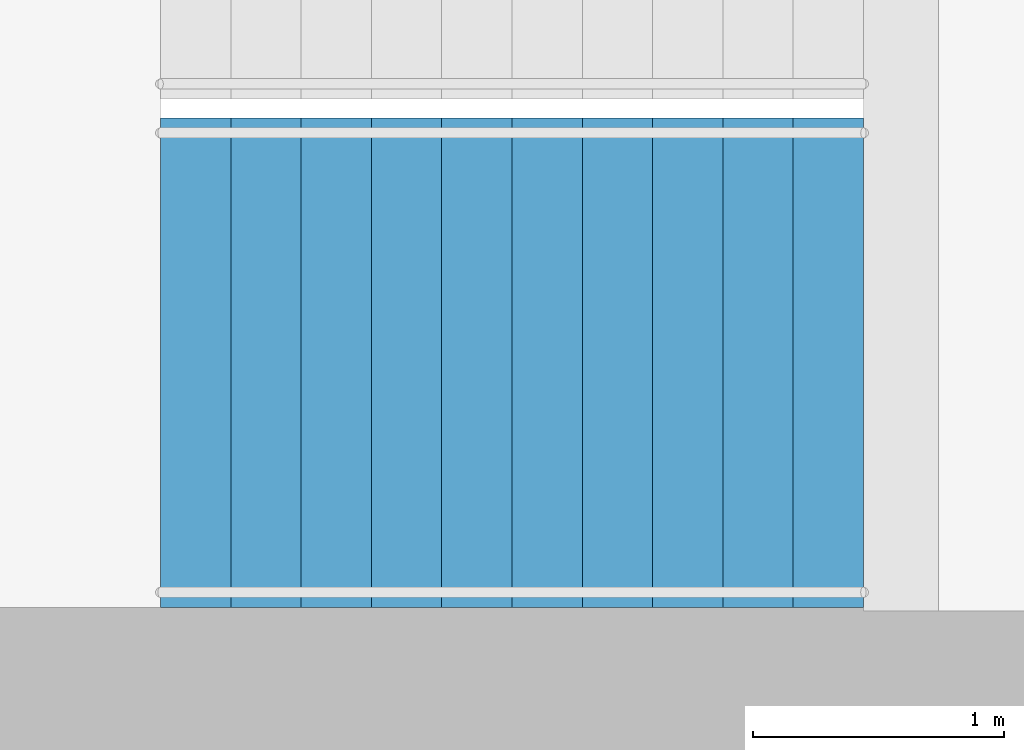
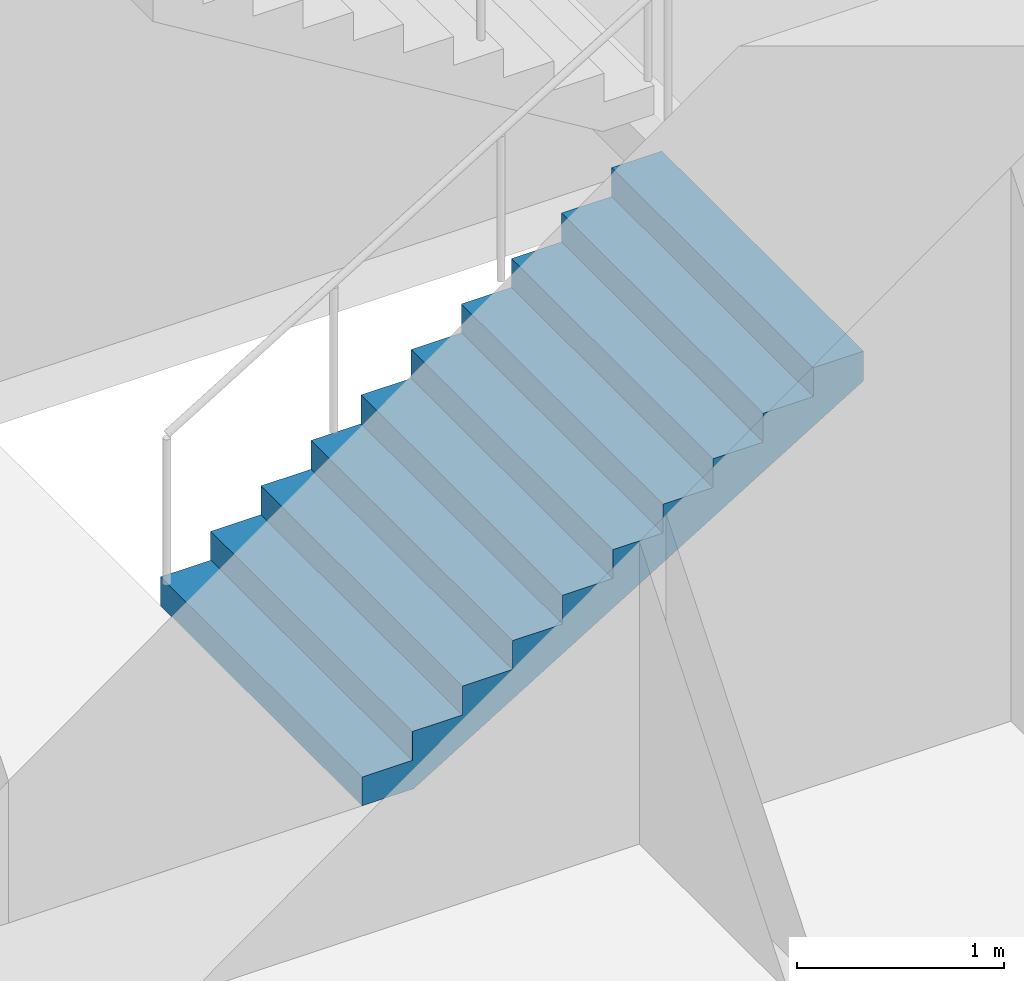
# One storey, part 17 of 21: 1 stair flight, 1 element without a shape of its own.
"""IFC4 building model written with IfcOpenShell, lengths in metres."""

from ifc_helpers import new_model, si_unit, direction, frame, origin, place, context, subcontext, project, spatial, triangles, material, type_object, element, aggregate, save


model = new_model("IFC4")

# Units and contexts
model_context = context("Model", 3, precision=1e-05, world=origin(), true_north=direction((0.0, 1.0)))
body_context = subcontext(model_context, "Body", "Model", "MODEL_VIEW")
ifc_project = project(units=[si_unit("LENGTHUNIT", "METRE"), si_unit("AREAUNIT", "SQUARE_METRE"), si_unit("VOLUMEUNIT", "CUBIC_METRE"), si_unit("PLANEANGLEUNIT", "RADIAN"), si_unit("MASSUNIT", "GRAM", prefix="KILO")], contexts=[model_context])

# Site, building, storey
site_placement = place(None, origin())
site = spatial("IfcSite", under=ifc_project, at=site_placement, CompositionType="ELEMENT")
building_placement = place(site_placement, origin())
building = spatial("IfcBuilding", under=site, at=building_placement, Name="Orbita Commons", CompositionType="ELEMENT")
storey_placement = place(building_placement, frame((0.0, 0.0, 91.89990234375)))
storey = spatial("IfcBuildingStorey", under=building, at=storey_placement, Name="L22", CompositionType="ELEMENT", Elevation=91.89990234375)

# Stair, stair flight
ifc_material_1 = material(Name="Precast concrete C40/50", Category="concrete")
stair_type = type_object("IfcStairType", Name="Exit stair S1 2 flights 11 risers 170", PredefinedType="HALF_TURN_STAIR", material=ifc_material_1)
stair_placement = place(storey_placement, origin())
stair = element("IfcStair", 1, at=stair_placement, inside=storey, type_object=stair_type, Name="Exit stair S1 L22", PredefinedType="HALF_TURN_STAIR")
ifc_material_2 = material(Name="Precast concrete C40/50", Category="concrete")
stair_flight_type = type_object("IfcStairFlightType", Name="Stair flight 11 risers 170 x 280", PredefinedType="STRAIGHT", material=ifc_material_2)
stair_flight_placement = place(storey_placement, frame((20.449951171875, 27.25, 0.0), z_axis=(0.0, 0.0, 1.0), x_axis=(1.0, 0.0, 0.0)))
stair_flight = element("IfcStairFlight", 2, at=stair_flight_placement, type_object=stair_flight_type, Name="S1 flight 1", NumberOfRisers=11, NumberOfTreads=10, PredefinedType="STRAIGHT", RiserHeight=0.170454545, TreadLength=0.28, context=body_context, shape_type="Tessellation", body=[
    triangles([(0.0, 0.974976, 0.0), (0.0, 0.974976, 0.021307), (0.0, 0.81248, 0.021307), (0.0, 0.81248, 0.0), (0.0, 0.649984, 0.021307), (0.0, 0.649984, 0.0), (0.0, 0.487488, 0.021307), (0.0, 0.487488, 0.0), (0.0, 0.324992, 0.021307), (0.0, 0.324992, 0.0), (0.0, 0.162496, 0.021307), (0.0, 0.162496, 0.0), (0.0, 0.0, 0.021307), (0.0, 0.0, 0.0), (0.0, -0.162496, 0.021307), (0.0, -0.162496, 0.0), (0.0, -0.324992, 0.021307), (0.0, -0.324992, 0.0), (0.0, -0.487488, 0.021307), (0.0, -0.487488, 0.0), (0.0, -0.649984, 0.021307), (0.0, -0.649984, 0.0), (0.0, -0.81248, 0.021307), (0.0, -0.81248, 0.0), (0.0, -0.974976, 0.021307), (0.0, -0.974976, 0.0), (0.0, 0.974976, 0.042614), (0.0, 0.81248, 0.042614), (0.0, 0.649984, 0.042614), (0.0, 0.487488, 0.042614), (0.0, 0.324992, 0.042614), (0.0, 0.162496, 0.042614), (0.0, 0.0, 0.042614), (0.0, -0.162496, 0.042614), (0.0, -0.324992, 0.042614), (0.0, -0.487488, 0.042614), (0.0, -0.649984, 0.042614), (0.0, -0.81248, 0.042614), (0.0, -0.974976, 0.042614), (0.0, 0.974976, 0.06392), (0.0, 0.81248, 0.06392), (0.0, 0.649984, 0.06392), (0.0, 0.487488, 0.06392), (0.0, 0.324992, 0.06392), (0.0, 0.162496, 0.06392), (0.0, 0.0, 0.06392), (0.0, -0.162496, 0.06392), (0.0, -0.324992, 0.06392), (0.0, -0.487488, 0.06392), (0.0, -0.649984, 0.06392), (0.0, -0.81248, 0.06392), (0.0, -0.974976, 0.06392), (0.0, 0.974976, 0.085227), (0.0, 0.81248, 0.085227), (0.0, 0.649984, 0.085227), (0.0, 0.487488, 0.085227), (0.0, 0.324992, 0.085227), (0.0, 0.162496, 0.085227), (0.0, 0.0, 0.085227), (0.0, -0.162496, 0.085227), (0.0, -0.324992, 0.085227), (0.0, -0.487488, 0.085227), (0.0, -0.649984, 0.085227), (0.0, -0.81248, 0.085227), (0.0, -0.974976, 0.085227), (0.0, 0.974976, 0.106534), (0.0, 0.81248, 0.106534), (0.0, 0.649984, 0.106534), (0.0, 0.487488, 0.106534), (0.0, 0.324992, 0.106534), (0.0, 0.162496, 0.106534), (0.0, 0.0, 0.106534), (0.0, -0.162496, 0.106534), (0.0, -0.324992, 0.106534), (0.0, -0.487488, 0.106534), (0.0, -0.649984, 0.106534), (0.0, -0.81248, 0.106534), (0.0, -0.974976, 0.106534), (0.0, 0.974976, 0.127841), (0.0, 0.81248, 0.127841), (0.0, 0.649984, 0.127841), (0.0, 0.487488, 0.127841), (0.0, 0.324992, 0.127841), (0.0, 0.162496, 0.127841), (0.0, 0.0, 0.127841), (0.0, -0.162496, 0.127841), (0.0, -0.324992, 0.127841), (0.0, -0.487488, 0.127841), (0.0, -0.649984, 0.127841), (0.0, -0.81248, 0.127841), (0.0, -0.974976, 0.127841), (0.0, 0.974976, 0.149148), (0.0, 0.81248, 0.149148), (0.0, 0.649984, 0.149148), (0.0, 0.487488, 0.149148), (0.0, 0.324992, 0.149148), (0.0, 0.162496, 0.149148), (0.0, 0.0, 0.149148), (0.0, -0.162496, 0.149148), (0.0, -0.324992, 0.149148), (0.0, -0.487488, 0.149148), (0.0, -0.649984, 0.149148), (0.0, -0.81248, 0.149148), (0.0, -0.974976, 0.149148), (0.0, 0.974976, 0.170455), (0.0, 0.81248, 0.170455), (0.0, 0.649984, 0.170455), (0.0, 0.487488, 0.170455), (0.0, 0.324992, 0.170455), (0.0, 0.162496, 0.170455), (0.0, 0.0, 0.170455), (0.0, -0.162496, 0.170455), (0.0, -0.324992, 0.170455), (0.0, -0.487488, 0.170455), (0.0, -0.649984, 0.170455), (0.0, -0.81248, 0.170455), (0.0, -0.974976, 0.170455), (0.28, 0.974976, 0.170455), (0.28, 0.81248, 0.170455), (0.28, 0.649984, 0.170455), (0.28, 0.487488, 0.170455), (0.28, 0.324992, 0.170455), (0.28, 0.162496, 0.170455), (0.28, 0.0, 0.170455), (0.28, -0.162496, 0.170455), (0.28, -0.324992, 0.170455), (0.28, -0.487488, 0.170455), (0.28, -0.649984, 0.170455), (0.28, -0.81248, 0.170455), (0.28, -0.974976, 0.170455), (0.28, 0.974976, 0.340909), (0.28, 0.81248, 0.340909), (0.28, 0.649984, 0.340909), (0.28, 0.487488, 0.340909), (0.28, 0.324992, 0.340909), (0.28, 0.162496, 0.340909), (0.28, 0.0, 0.340909), (0.28, -0.162496, 0.340909), (0.28, -0.324992, 0.340909), (0.28, -0.487488, 0.340909), (0.28, -0.649984, 0.340909), (0.28, -0.81248, 0.340909), (0.28, -0.974976, 0.340909), (0.56, 0.974976, 0.340909), (0.56, 0.81248, 0.340909), (0.56, 0.649984, 0.340909), (0.56, 0.487488, 0.340909), (0.56, 0.324992, 0.340909), (0.56, 0.162496, 0.340909), (0.56, 0.0, 0.340909), (0.56, -0.162496, 0.340909), (0.56, -0.324992, 0.340909), (0.56, -0.487488, 0.340909), (0.56, -0.649984, 0.340909), (0.56, -0.81248, 0.340909), (0.56, -0.974976, 0.340909), (0.56, 0.974976, 0.511364), (0.56, 0.81248, 0.511364), (0.56, 0.649984, 0.511364), (0.56, 0.487488, 0.511364), (0.56, 0.324992, 0.511364), (0.56, 0.162496, 0.511364), (0.56, 0.0, 0.511364), (0.56, -0.162496, 0.511364), (0.56, -0.324992, 0.511364), (0.56, -0.487488, 0.511364), (0.56, -0.649984, 0.511364), (0.56, -0.81248, 0.511364), (0.56, -0.974976, 0.511364), (0.84, 0.974976, 0.511364), (0.84, 0.81248, 0.511364), (0.84, 0.649984, 0.511364), (0.84, 0.487488, 0.511364), (0.84, 0.324992, 0.511364), (0.84, 0.162496, 0.511364), (0.84, 0.0, 0.511364), (0.84, -0.162496, 0.511364), (0.84, -0.324992, 0.511364), (0.84, -0.487488, 0.511364), (0.84, -0.649984, 0.511364), (0.84, -0.81248, 0.511364), (0.84, -0.974976, 0.511364), (0.84, 0.974976, 0.681818), (0.84, 0.81248, 0.681818), (0.84, 0.649984, 0.681818), (0.84, 0.487488, 0.681818), (0.84, 0.324992, 0.681818), (0.84, 0.162496, 0.681818), (0.84, 0.0, 0.681818), (0.84, -0.162496, 0.681818), (0.84, -0.324992, 0.681818), (0.84, -0.487488, 0.681818), (0.84, -0.649984, 0.681818), (0.84, -0.81248, 0.681818), (0.84, -0.974976, 0.681818), (1.12, 0.974976, 0.681818), (1.12, 0.81248, 0.681818), (1.12, 0.649984, 0.681818), (1.12, 0.487488, 0.681818), (1.12, 0.324992, 0.681818), (1.12, 0.162496, 0.681818), (1.12, 0.0, 0.681818), (1.12, -0.162496, 0.681818), (1.12, -0.324992, 0.681818), (1.12, -0.487488, 0.681818), (1.12, -0.649984, 0.681818), (1.12, -0.81248, 0.681818), (1.12, -0.974976, 0.681818), (1.12, 0.974976, 0.852273), (1.12, 0.81248, 0.852273), (1.12, 0.649984, 0.852273), (1.12, 0.487488, 0.852273), (1.12, 0.324992, 0.852273), (1.12, 0.162496, 0.852273), (1.12, 0.0, 0.852273), (1.12, -0.162496, 0.852273), (1.12, -0.324992, 0.852273), (1.12, -0.487488, 0.852273), (1.12, -0.649984, 0.852273), (1.12, -0.81248, 0.852273), (1.12, -0.974976, 0.852273), (1.4, 0.974976, 0.852273), (1.4, 0.81248, 0.852273), (1.4, 0.649984, 0.852273), (1.4, 0.487488, 0.852273), (1.4, 0.324992, 0.852273), (1.4, 0.162496, 0.852273), (1.4, 0.0, 0.852273), (1.4, -0.162496, 0.852273), (1.4, -0.324992, 0.852273), (1.4, -0.487488, 0.852273), (1.4, -0.649984, 0.852273), (1.4, -0.81248, 0.852273), (1.4, -0.974976, 0.852273), (1.4, 0.974976, 1.022727), (1.4, 0.81248, 1.022727), (1.4, 0.649984, 1.022727), (1.4, 0.487488, 1.022727), (1.4, 0.324992, 1.022727), (1.4, 0.162496, 1.022727), (1.4, 0.0, 1.022727), (1.4, -0.162496, 1.022727), (1.4, -0.324992, 1.022727), (1.4, -0.487488, 1.022727), (1.4, -0.649984, 1.022727), (1.4, -0.81248, 1.022727), (1.4, -0.974976, 1.022727), (1.68, 0.974976, 1.022727), (1.68, 0.81248, 1.022727), (1.68, 0.649984, 1.022727), (1.68, 0.487488, 1.022727), (1.68, 0.324992, 1.022727), (1.68, 0.162496, 1.022727), (1.68, 0.0, 1.022727), (1.68, -0.162496, 1.022727), (1.68, -0.324992, 1.022727), (1.68, -0.487488, 1.022727), (1.68, -0.649984, 1.022727), (1.68, -0.81248, 1.022727), (1.68, -0.974976, 1.022727), (1.68, 0.974976, 1.193182), (1.68, 0.81248, 1.193182), (1.68, 0.649984, 1.193182), (1.68, 0.487488, 1.193182), (1.68, 0.324992, 1.193182), (1.68, 0.162496, 1.193182), (1.68, 0.0, 1.193182), (1.68, -0.162496, 1.193182), (1.68, -0.324992, 1.193182), (1.68, -0.487488, 1.193182), (1.68, -0.649984, 1.193182), (1.68, -0.81248, 1.193182), (1.68, -0.974976, 1.193182), (1.96, 0.974976, 1.193182), (1.96, 0.81248, 1.193182), (1.96, 0.649984, 1.193182), (1.96, 0.487488, 1.193182), (1.96, 0.324992, 1.193182), (1.96, 0.162496, 1.193182), (1.96, 0.0, 1.193182), (1.96, -0.162496, 1.193182), (1.96, -0.324992, 1.193182), (1.96, -0.487488, 1.193182), (1.96, -0.649984, 1.193182), (1.96, -0.81248, 1.193182), (1.96, -0.974976, 1.193182), (1.96, 0.974976, 1.363636), (1.96, 0.81248, 1.363636), (1.96, 0.649984, 1.363636), (1.96, 0.487488, 1.363636), (1.96, 0.324992, 1.363636), (1.96, 0.162496, 1.363636), (1.96, 0.0, 1.363636), (1.96, -0.162496, 1.363636), (1.96, -0.324992, 1.363636), (1.96, -0.487488, 1.363636), (1.96, -0.649984, 1.363636), (1.96, -0.81248, 1.363636), (1.96, -0.974976, 1.363636), (2.24, 0.974976, 1.363636), (2.24, 0.81248, 1.363636), (2.24, 0.649984, 1.363636), (2.24, 0.487488, 1.363636), (2.24, 0.324992, 1.363636), (2.24, 0.162496, 1.363636), (2.24, 0.0, 1.363636), (2.24, -0.162496, 1.363636), (2.24, -0.324992, 1.363636), (2.24, -0.487488, 1.363636), (2.24, -0.649984, 1.363636), (2.24, -0.81248, 1.363636), (2.24, -0.974976, 1.363636), (2.24, 0.974976, 1.534091), (2.24, 0.81248, 1.534091), (2.24, 0.649984, 1.534091), (2.24, 0.487488, 1.534091), (2.24, 0.324992, 1.534091), (2.24, 0.162496, 1.534091), (2.24, 0.0, 1.534091), (2.24, -0.162496, 1.534091), (2.24, -0.324992, 1.534091), (2.24, -0.487488, 1.534091), (2.24, -0.649984, 1.534091), (2.24, -0.81248, 1.534091), (2.24, -0.974976, 1.534091), (2.52, 0.974976, 1.534091), (2.52, 0.81248, 1.534091), (2.52, 0.649984, 1.534091), (2.52, 0.487488, 1.534091), (2.52, 0.324992, 1.534091), (2.52, 0.162496, 1.534091), (2.52, 0.0, 1.534091), (2.52, -0.162496, 1.534091), (2.52, -0.324992, 1.534091), (2.52, -0.487488, 1.534091), (2.52, -0.649984, 1.534091), (2.52, -0.81248, 1.534091), (2.52, -0.974976, 1.534091), (2.52, 0.974976, 1.704545), (2.52, 0.81248, 1.704545), (2.52, 0.649984, 1.704545), (2.52, 0.487488, 1.704545), (2.52, 0.324992, 1.704545), (2.52, 0.162496, 1.704545), (2.52, 0.0, 1.704545), (2.52, -0.162496, 1.704545), (2.52, -0.324992, 1.704545), (2.52, -0.487488, 1.704545), (2.52, -0.649984, 1.704545), (2.52, -0.81248, 1.704545), (2.52, -0.974976, 1.704545), (2.8, 0.974976, 1.704545), (2.8, 0.81248, 1.704545), (2.8, 0.649984, 1.704545), (2.8, 0.487488, 1.704545), (2.8, 0.324992, 1.704545), (2.8, 0.162496, 1.704545), (2.8, 0.0, 1.704545), (2.8, -0.162496, 1.704545), (2.8, -0.324992, 1.704545), (2.8, -0.487488, 1.704545), (2.8, -0.649984, 1.704545), (2.8, -0.81248, 1.704545), (2.8, -0.974976, 1.704545), (2.8, 0.974976, 1.682609), (2.8, 0.81248, 1.682609), (2.8, 0.649984, 1.682609), (2.8, 0.487488, 1.682609), (2.8, 0.324992, 1.682609), (2.8, 0.162496, 1.682609), (2.8, 0.0, 1.682609), (2.8, -0.162496, 1.682609), (2.8, -0.324992, 1.682609), (2.8, -0.487488, 1.682609), (2.8, -0.649984, 1.682609), (2.8, -0.81248, 1.682609), (2.8, -0.974976, 1.682609), (2.8, 0.974976, 1.660672), (2.8, 0.81248, 1.660672), (2.8, 0.649984, 1.660672), (2.8, 0.487488, 1.660672), (2.8, 0.324992, 1.660672), (2.8, 0.162496, 1.660672), (2.8, 0.0, 1.660672), (2.8, -0.162496, 1.660672), (2.8, -0.324992, 1.660672), (2.8, -0.487488, 1.660672), (2.8, -0.649984, 1.660672), (2.8, -0.81248, 1.660672), (2.8, -0.974976, 1.660672), (2.8, 0.974976, 1.638735), (2.8, 0.81248, 1.638735), (2.8, 0.649984, 1.638735), (2.8, 0.487488, 1.638735), (2.8, 0.324992, 1.638735), (2.8, 0.162496, 1.638735), (2.8, 0.0, 1.638735), (2.8, -0.162496, 1.638735), (2.8, -0.324992, 1.638735), (2.8, -0.487488, 1.638735), (2.8, -0.649984, 1.638735), (2.8, -0.81248, 1.638735), (2.8, -0.974976, 1.638735), (2.8, 0.974976, 1.616798), (2.8, 0.81248, 1.616798), (2.8, 0.649984, 1.616798), (2.8, 0.487488, 1.616798), (2.8, 0.324992, 1.616798), (2.8, 0.162496, 1.616798), (2.8, 0.0, 1.616798), (2.8, -0.162496, 1.616798), (2.8, -0.324992, 1.616798), (2.8, -0.487488, 1.616798), (2.8, -0.649984, 1.616798), (2.8, -0.81248, 1.616798), (2.8, -0.974976, 1.616798), (2.8, 0.974976, 1.594861), (2.8, 0.81248, 1.594861), (2.8, 0.649984, 1.594861), (2.8, 0.487488, 1.594861), (2.8, 0.324992, 1.594861), (2.8, 0.162496, 1.594861), (2.8, 0.0, 1.594861), (2.8, -0.162496, 1.594861), (2.8, -0.324992, 1.594861), (2.8, -0.487488, 1.594861), (2.8, -0.649984, 1.594861), (2.8, -0.81248, 1.594861), (2.8, -0.974976, 1.594861), (2.8, 0.974976, 1.572925), (2.8, 0.81248, 1.572925), (2.8, 0.649984, 1.572925), (2.8, 0.487488, 1.572925), (2.8, 0.324992, 1.572925), (2.8, 0.162496, 1.572925), (2.8, 0.0, 1.572925), (2.8, -0.162496, 1.572925), (2.8, -0.324992, 1.572925), (2.8, -0.487488, 1.572925), (2.8, -0.649984, 1.572925), (2.8, -0.81248, 1.572925), (2.8, -0.974976, 1.572925), (2.8, 0.974976, 1.550988), (2.8, 0.81248, 1.550988), (2.8, 0.649984, 1.550988), (2.8, 0.487488, 1.550988), (2.8, 0.324992, 1.550988), (2.8, 0.162496, 1.550988), (2.8, 0.0, 1.550988), (2.8, -0.162496, 1.550988), (2.8, -0.324992, 1.550988), (2.8, -0.487488, 1.550988), (2.8, -0.649984, 1.550988), (2.8, -0.81248, 1.550988), (2.8, -0.974976, 1.550988), (2.8, 0.974976, 1.529051), (2.8, 0.81248, 1.529051), (2.8, 0.649984, 1.529051), (2.8, 0.487488, 1.529051), (2.8, 0.324992, 1.529051), (2.8, 0.162496, 1.529051), (2.8, 0.0, 1.529051), (2.8, -0.162496, 1.529051), (2.8, -0.324992, 1.529051), (2.8, -0.487488, 1.529051), (2.8, -0.649984, 1.529051), (2.8, -0.81248, 1.529051), (2.8, -0.974976, 1.529051), (0.288279, 0.974976, 0.0), (0.288279, 0.81248, 0.0), (0.288279, 0.649984, 0.0), (0.288279, 0.487488, 0.0), (0.288279, 0.324992, 0.0), (0.288279, 0.162496, 0.0), (0.288279, 0.0, 0.0), (0.288279, -0.162496, 0.0), (0.288279, -0.324992, 0.0), (0.288279, -0.487488, 0.0), (0.288279, -0.649984, 0.0), (0.288279, -0.81248, 0.0), (0.288279, -0.974976, 0.0)], [[3, 2, 1], [4, 3, 1], [5, 3, 4], [6, 5, 4], [7, 5, 6], [8, 7, 6], [9, 7, 8], [10, 9, 8], [11, 9, 10], [12, 11, 10], [13, 11, 12], [14, 13, 12], [15, 13, 14], [16, 15, 14], [17, 15, 16], [18, 17, 16], [19, 17, 18], [20, 19, 18], [21, 19, 20], [22, 21, 20], [23, 21, 22], [24, 23, 22], [25, 23, 24], [26, 25, 24], [28, 27, 2], [3, 28, 2], [29, 28, 3], [5, 29, 3], [30, 29, 5], [7, 30, 5], [31, 30, 7], [9, 31, 7], [32, 31, 9], [11, 32, 9], [33, 32, 11], [13, 33, 11], [34, 33, 13], [15, 34, 13], [35, 34, 15], [17, 35, 15], [36, 35, 17], [19, 36, 17], [37, 36, 19], [21, 37, 19], [38, 37, 21], [23, 38, 21], [39, 38, 23], [25, 39, 23], [41, 40, 27], [28, 41, 27], [42, 41, 28], [29, 42, 28], [43, 42, 29], [30, 43, 29], [44, 43, 30], [31, 44, 30], [45, 44, 31], [32, 45, 31], [46, 45, 32], [33, 46, 32], [47, 46, 33], [34, 47, 33], [48, 47, 34], [35, 48, 34], [49, 48, 35], [36, 49, 35], [50, 49, 36], [37, 50, 36], [51, 50, 37], [38, 51, 37], [52, 51, 38], [39, 52, 38], [54, 53, 40], [41, 54, 40], [55, 54, 41], [42, 55, 41], [56, 55, 42], [43, 56, 42], [57, 56, 43], [44, 57, 43], [58, 57, 44], [45, 58, 44], [59, 58, 45], [46, 59, 45], [60, 59, 46], [47, 60, 46], [61, 60, 47], [48, 61, 47], [62, 61, 48], [49, 62, 48], [63, 62, 49], [50, 63, 49], [64, 63, 50], [51, 64, 50], [65, 64, 51], [52, 65, 51], [67, 66, 53], [54, 67, 53], [68, 67, 54], [55, 68, 54], [69, 68, 55], [56, 69, 55], [70, 69, 56], [57, 70, 56], [71, 70, 57], [58, 71, 57], [72, 71, 58], [59, 72, 58], [73, 72, 59], [60, 73, 59], [74, 73, 60], [61, 74, 60], [75, 74, 61], [62, 75, 61], [76, 75, 62], [63, 76, 62], [77, 76, 63], [64, 77, 63], [78, 77, 64], [65, 78, 64], [80, 79, 66], [67, 80, 66], [81, 80, 67], [68, 81, 67], [82, 81, 68], [69, 82, 68], [83, 82, 69], [70, 83, 69], [84, 83, 70], [71, 84, 70], [85, 84, 71], [72, 85, 71], [86, 85, 72], [73, 86, 72], [87, 86, 73], [74, 87, 73], [88, 87, 74], [75, 88, 74], [89, 88, 75], [76, 89, 75], [90, 89, 76], [77, 90, 76], [91, 90, 77], [78, 91, 77], [93, 92, 79], [80, 93, 79], [94, 93, 80], [81, 94, 80], [95, 94, 81], [82, 95, 81], [96, 95, 82], [83, 96, 82], [97, 96, 83], [84, 97, 83], [98, 97, 84], [85, 98, 84], [99, 98, 85], [86, 99, 85], [100, 99, 86], [87, 100, 86], [101, 100, 87], [88, 101, 87], [102, 101, 88], [89, 102, 88], [103, 102, 89], [90, 103, 89], [104, 103, 90], [91, 104, 90], [106, 105, 92], [93, 106, 92], [107, 106, 93], [94, 107, 93], [108, 107, 94], [95, 108, 94], [109, 108, 95], [96, 109, 95], [110, 109, 96], [97, 110, 96], [111, 110, 97], [98, 111, 97], [112, 111, 98], [99, 112, 98], [113, 112, 99], [100, 113, 99], [114, 113, 100], [101, 114, 100], [115, 114, 101], [102, 115, 101], [116, 115, 102], [103, 116, 102], [117, 116, 103], [104, 117, 103], [119, 118, 105], [106, 119, 105], [120, 119, 106], [107, 120, 106], [121, 120, 107], [108, 121, 107], [122, 121, 108], [109, 122, 108], [123, 122, 109], [110, 123, 109], [124, 123, 110], [111, 124, 110], [125, 124, 111], [112, 125, 111], [126, 125, 112], [113, 126, 112], [127, 126, 113], [114, 127, 113], [128, 127, 114], [115, 128, 114], [129, 128, 115], [116, 129, 115], [130, 129, 116], [117, 130, 116], [132, 131, 118], [119, 132, 118], [133, 132, 119], [120, 133, 119], [134, 133, 120], [121, 134, 120], [135, 134, 121], [122, 135, 121], [136, 135, 122], [123, 136, 122], [137, 136, 123], [124, 137, 123], [138, 137, 124], [125, 138, 124], [139, 138, 125], [126, 139, 125], [140, 139, 126], [127, 140, 126], [141, 140, 127], [128, 141, 127], [142, 141, 128], [129, 142, 128], [143, 142, 129], [130, 143, 129], [145, 144, 131], [132, 145, 131], [146, 145, 132], [133, 146, 132], [147, 146, 133], [134, 147, 133], [148, 147, 134], [135, 148, 134], [149, 148, 135], [136, 149, 135], [150, 149, 136], [137, 150, 136], [151, 150, 137], [138, 151, 137], [152, 151, 138], [139, 152, 138], [153, 152, 139], [140, 153, 139], [154, 153, 140], [141, 154, 140], [155, 154, 141], [142, 155, 141], [156, 155, 142], [143, 156, 142], [158, 157, 144], [145, 158, 144], [159, 158, 145], [146, 159, 145], [160, 159, 146], [147, 160, 146], [161, 160, 147], [148, 161, 147], [162, 161, 148], [149, 162, 148], [163, 162, 149], [150, 163, 149], [164, 163, 150], [151, 164, 150], [165, 164, 151], [152, 165, 151], [166, 165, 152], [153, 166, 152], [167, 166, 153], [154, 167, 153], [168, 167, 154], [155, 168, 154], [169, 168, 155], [156, 169, 155], [171, 170, 157], [158, 171, 157], [172, 171, 158], [159, 172, 158], [173, 172, 159], [160, 173, 159], [174, 173, 160], [161, 174, 160], [175, 174, 161], [162, 175, 161], [176, 175, 162], [163, 176, 162], [177, 176, 163], [164, 177, 163], [178, 177, 164], [165, 178, 164], [179, 178, 165], [166, 179, 165], [180, 179, 166], [167, 180, 166], [181, 180, 167], [168, 181, 167], [182, 181, 168], [169, 182, 168], [184, 183, 170], [171, 184, 170], [185, 184, 171], [172, 185, 171], [186, 185, 172], [173, 186, 172], [187, 186, 173], [174, 187, 173], [188, 187, 174], [175, 188, 174], [189, 188, 175], [176, 189, 175], [190, 189, 176], [177, 190, 176], [191, 190, 177], [178, 191, 177], [192, 191, 178], [179, 192, 178], [193, 192, 179], [180, 193, 179], [194, 193, 180], [181, 194, 180], [195, 194, 181], [182, 195, 181], [197, 196, 183], [184, 197, 183], [198, 197, 184], [185, 198, 184], [199, 198, 185], [186, 199, 185], [200, 199, 186], [187, 200, 186], [201, 200, 187], [188, 201, 187], [202, 201, 188], [189, 202, 188], [203, 202, 189], [190, 203, 189], [204, 203, 190], [191, 204, 190], [205, 204, 191], [192, 205, 191], [206, 205, 192], [193, 206, 192], [207, 206, 193], [194, 207, 193], [208, 207, 194], [195, 208, 194], [210, 209, 196], [197, 210, 196], [211, 210, 197], [198, 211, 197], [212, 211, 198], [199, 212, 198], [213, 212, 199], [200, 213, 199], [214, 213, 200], [201, 214, 200], [215, 214, 201], [202, 215, 201], [216, 215, 202], [203, 216, 202], [217, 216, 203], [204, 217, 203], [218, 217, 204], [205, 218, 204], [219, 218, 205], [206, 219, 205], [220, 219, 206], [207, 220, 206], [221, 220, 207], [208, 221, 207], [223, 222, 209], [210, 223, 209], [224, 223, 210], [211, 224, 210], [225, 224, 211], [212, 225, 211], [226, 225, 212], [213, 226, 212], [227, 226, 213], [214, 227, 213], [228, 227, 214], [215, 228, 214], [229, 228, 215], [216, 229, 215], [230, 229, 216], [217, 230, 216], [231, 230, 217], [218, 231, 217], [232, 231, 218], [219, 232, 218], [233, 232, 219], [220, 233, 219], [234, 233, 220], [221, 234, 220], [236, 235, 222], [223, 236, 222], [237, 236, 223], [224, 237, 223], [238, 237, 224], [225, 238, 224], [239, 238, 225], [226, 239, 225], [240, 239, 226], [227, 240, 226], [241, 240, 227], [228, 241, 227], [242, 241, 228], [229, 242, 228], [243, 242, 229], [230, 243, 229], [244, 243, 230], [231, 244, 230], [245, 244, 231], [232, 245, 231], [246, 245, 232], [233, 246, 232], [247, 246, 233], [234, 247, 233], [249, 248, 235], [236, 249, 235], [250, 249, 236], [237, 250, 236], [251, 250, 237], [238, 251, 237], [252, 251, 238], [239, 252, 238], [253, 252, 239], [240, 253, 239], [254, 253, 240], [241, 254, 240], [255, 254, 241], [242, 255, 241], [256, 255, 242], [243, 256, 242], [257, 256, 243], [244, 257, 243], [258, 257, 244], [245, 258, 244], [259, 258, 245], [246, 259, 245], [260, 259, 246], [247, 260, 246], [262, 261, 248], [249, 262, 248], [263, 262, 249], [250, 263, 249], [264, 263, 250], [251, 264, 250], [265, 264, 251], [252, 265, 251], [266, 265, 252], [253, 266, 252], [267, 266, 253], [254, 267, 253], [268, 267, 254], [255, 268, 254], [269, 268, 255], [256, 269, 255], [270, 269, 256], [257, 270, 256], [271, 270, 257], [258, 271, 257], [272, 271, 258], [259, 272, 258], [273, 272, 259], [260, 273, 259], [275, 274, 261], [262, 275, 261], [276, 275, 262], [263, 276, 262], [277, 276, 263], [264, 277, 263], [278, 277, 264], [265, 278, 264], [279, 278, 265], [266, 279, 265], [280, 279, 266], [267, 280, 266], [281, 280, 267], [268, 281, 267], [282, 281, 268], [269, 282, 268], [283, 282, 269], [270, 283, 269], [284, 283, 270], [271, 284, 270], [285, 284, 271], [272, 285, 271], [286, 285, 272], [273, 286, 272], [288, 287, 274], [275, 288, 274], [289, 288, 275], [276, 289, 275], [290, 289, 276], [277, 290, 276], [291, 290, 277], [278, 291, 277], [292, 291, 278], [279, 292, 278], [293, 292, 279], [280, 293, 279], [294, 293, 280], [281, 294, 280], [295, 294, 281], [282, 295, 281], [296, 295, 282], [283, 296, 282], [297, 296, 283], [284, 297, 283], [298, 297, 284], [285, 298, 284], [299, 298, 285], [286, 299, 285], [301, 300, 287], [288, 301, 287], [302, 301, 288], [289, 302, 288], [303, 302, 289], [290, 303, 289], [304, 303, 290], [291, 304, 290], [305, 304, 291], [292, 305, 291], [306, 305, 292], [293, 306, 292], [307, 306, 293], [294, 307, 293], [308, 307, 294], [295, 308, 294], [309, 308, 295], [296, 309, 295], [310, 309, 296], [297, 310, 296], [311, 310, 297], [298, 311, 297], [312, 311, 298], [299, 312, 298], [314, 313, 300], [301, 314, 300], [315, 314, 301], [302, 315, 301], [316, 315, 302], [303, 316, 302], [317, 316, 303], [304, 317, 303], [318, 317, 304], [305, 318, 304], [319, 318, 305], [306, 319, 305], [320, 319, 306], [307, 320, 306], [321, 320, 307], [308, 321, 307], [322, 321, 308], [309, 322, 308], [323, 322, 309], [310, 323, 309], [324, 323, 310], [311, 324, 310], [325, 324, 311], [312, 325, 311], [327, 326, 313], [314, 327, 313], [328, 327, 314], [315, 328, 314], [329, 328, 315], [316, 329, 315], [330, 329, 316], [317, 330, 316], [331, 330, 317], [318, 331, 317], [332, 331, 318], [319, 332, 318], [333, 332, 319], [320, 333, 319], [334, 333, 320], [321, 334, 320], [335, 334, 321], [322, 335, 321], [336, 335, 322], [323, 336, 322], [337, 336, 323], [324, 337, 323], [338, 337, 324], [325, 338, 324], [340, 339, 326], [327, 340, 326], [341, 340, 327], [328, 341, 327], [342, 341, 328], [329, 342, 328], [343, 342, 329], [330, 343, 329], [344, 343, 330], [331, 344, 330], [345, 344, 331], [332, 345, 331], [346, 345, 332], [333, 346, 332], [347, 346, 333], [334, 347, 333], [348, 347, 334], [335, 348, 334], [349, 348, 335], [336, 349, 335], [350, 349, 336], [337, 350, 336], [351, 350, 337], [338, 351, 337], [353, 352, 339], [340, 353, 339], [354, 353, 340], [341, 354, 340], [355, 354, 341], [342, 355, 341], [356, 355, 342], [343, 356, 342], [357, 356, 343], [344, 357, 343], [358, 357, 344], [345, 358, 344], [359, 358, 345], [346, 359, 345], [360, 359, 346], [347, 360, 346], [361, 360, 347], [348, 361, 347], [362, 361, 348], [349, 362, 348], [363, 362, 349], [350, 363, 349], [364, 363, 350], [351, 364, 350], [366, 365, 352], [353, 366, 352], [367, 366, 353], [354, 367, 353], [368, 367, 354], [355, 368, 354], [369, 368, 355], [356, 369, 355], [370, 369, 356], [357, 370, 356], [371, 370, 357], [358, 371, 357], [372, 371, 358], [359, 372, 358], [373, 372, 359], [360, 373, 359], [374, 373, 360], [361, 374, 360], [375, 374, 361], [362, 375, 361], [376, 375, 362], [363, 376, 362], [377, 376, 363], [364, 377, 363], [379, 378, 365], [366, 379, 365], [380, 379, 366], [367, 380, 366], [381, 380, 367], [368, 381, 367], [382, 381, 368], [369, 382, 368], [383, 382, 369], [370, 383, 369], [384, 383, 370], [371, 384, 370], [385, 384, 371], [372, 385, 371], [386, 385, 372], [373, 386, 372], [387, 386, 373], [374, 387, 373], [388, 387, 374], [375, 388, 374], [389, 388, 375], [376, 389, 375], [390, 389, 376], [377, 390, 376], [392, 391, 378], [379, 392, 378], [393, 392, 379], [380, 393, 379], [394, 393, 380], [381, 394, 380], [395, 394, 381], [382, 395, 381], [396, 395, 382], [383, 396, 382], [397, 396, 383], [384, 397, 383], [398, 397, 384], [385, 398, 384], [399, 398, 385], [386, 399, 385], [400, 399, 386], [387, 400, 386], [401, 400, 387], [388, 401, 387], [402, 401, 388], [389, 402, 388], [403, 402, 389], [390, 403, 389], [405, 404, 391], [392, 405, 391], [406, 405, 392], [393, 406, 392], [407, 406, 393], [394, 407, 393], [408, 407, 394], [395, 408, 394], [409, 408, 395], [396, 409, 395], [410, 409, 396], [397, 410, 396], [411, 410, 397], [398, 411, 397], [412, 411, 398], [399, 412, 398], [413, 412, 399], [400, 413, 399], [414, 413, 400], [401, 414, 400], [415, 414, 401], [402, 415, 401], [416, 415, 402], [403, 416, 402], [418, 417, 404], [405, 418, 404], [419, 418, 405], [406, 419, 405], [420, 419, 406], [407, 420, 406], [421, 420, 407], [408, 421, 407], [422, 421, 408], [409, 422, 408], [423, 422, 409], [410, 423, 409], [424, 423, 410], [411, 424, 410], [425, 424, 411], [412, 425, 411], [426, 425, 412], [413, 426, 412], [427, 426, 413], [414, 427, 413], [428, 427, 414], [415, 428, 414], [429, 428, 415], [416, 429, 415], [431, 430, 417], [418, 431, 417], [432, 431, 418], [419, 432, 418], [433, 432, 419], [420, 433, 419], [434, 433, 420], [421, 434, 420], [435, 434, 421], [422, 435, 421], [436, 435, 422], [423, 436, 422], [437, 436, 423], [424, 437, 423], [438, 437, 424], [425, 438, 424], [439, 438, 425], [426, 439, 425], [440, 439, 426], [427, 440, 426], [441, 440, 427], [428, 441, 427], [442, 441, 428], [429, 442, 428], [444, 443, 430], [431, 444, 430], [445, 444, 431], [432, 445, 431], [446, 445, 432], [433, 446, 432], [447, 446, 433], [434, 447, 433], [448, 447, 434], [435, 448, 434], [449, 448, 435], [436, 449, 435], [450, 449, 436], [437, 450, 436], [451, 450, 437], [438, 451, 437], [452, 451, 438], [439, 452, 438], [453, 452, 439], [440, 453, 439], [454, 453, 440], [441, 454, 440], [455, 454, 441], [442, 455, 441], [457, 456, 443], [444, 457, 443], [458, 457, 444], [445, 458, 444], [459, 458, 445], [446, 459, 445], [460, 459, 446], [447, 460, 446], [461, 460, 447], [448, 461, 447], [462, 461, 448], [449, 462, 448], [463, 462, 449], [450, 463, 449], [464, 463, 450], [451, 464, 450], [465, 464, 451], [452, 465, 451], [466, 465, 452], [453, 466, 452], [467, 466, 453], [454, 467, 453], [468, 467, 454], [455, 468, 454], [470, 469, 456], [457, 470, 456], [471, 470, 457], [458, 471, 457], [472, 471, 458], [459, 472, 458], [473, 472, 459], [460, 473, 459], [474, 473, 460], [461, 474, 460], [475, 474, 461], [462, 475, 461], [476, 475, 462], [463, 476, 462], [477, 476, 463], [464, 477, 463], [478, 477, 464], [465, 478, 464], [479, 478, 465], [466, 479, 465], [480, 479, 466], [467, 480, 466], [481, 480, 467], [468, 481, 467], [4, 1, 469], [470, 4, 469], [6, 4, 470], [471, 6, 470], [8, 6, 471], [472, 8, 471], [10, 8, 472], [473, 10, 472], [12, 10, 473], [474, 12, 473], [14, 12, 474], [475, 14, 474], [16, 14, 475], [476, 16, 475], [18, 16, 476], [477, 18, 476], [20, 18, 477], [478, 20, 477], [22, 20, 478], [479, 22, 478], [24, 22, 479], [480, 24, 479], [26, 24, 480], [481, 26, 480], [456, 469, 1], [26, 481, 468], [443, 456, 1], [26, 468, 455], [430, 443, 1], [26, 455, 442], [417, 430, 1], [26, 442, 429], [404, 417, 1], [26, 429, 416], [391, 404, 1], [26, 416, 403], [378, 391, 1], [26, 403, 390], [365, 378, 1], [26, 390, 377], [339, 352, 365], [377, 364, 351], [326, 339, 365], [377, 351, 338], [300, 313, 326], [338, 325, 312], [300, 326, 365], [377, 338, 312], [274, 287, 300], [312, 299, 286], [274, 300, 365], [377, 312, 286], [248, 261, 274], [286, 273, 260], [248, 274, 365], [377, 286, 260], [222, 235, 248], [260, 247, 234], [222, 248, 365], [377, 260, 234], [196, 209, 222], [234, 221, 208], [196, 222, 365], [377, 234, 208], [170, 183, 196], [208, 195, 182], [170, 196, 365], [377, 208, 182], [144, 157, 170], [182, 169, 156], [144, 170, 365], [377, 182, 156], [118, 131, 144], [156, 143, 130], [118, 144, 365], [377, 156, 130], [118, 365, 1], [26, 377, 130], [92, 105, 118], [130, 117, 104], [79, 92, 118], [130, 104, 91], [66, 79, 118], [130, 91, 78], [53, 66, 118], [130, 78, 65], [40, 53, 118], [130, 65, 52], [27, 40, 118], [130, 52, 39], [2, 27, 118], [130, 39, 25], [1, 2, 118], [130, 25, 26]], closed=True),
])
aggregate(stair, [stair_flight])

save(model, "model.ifc")
